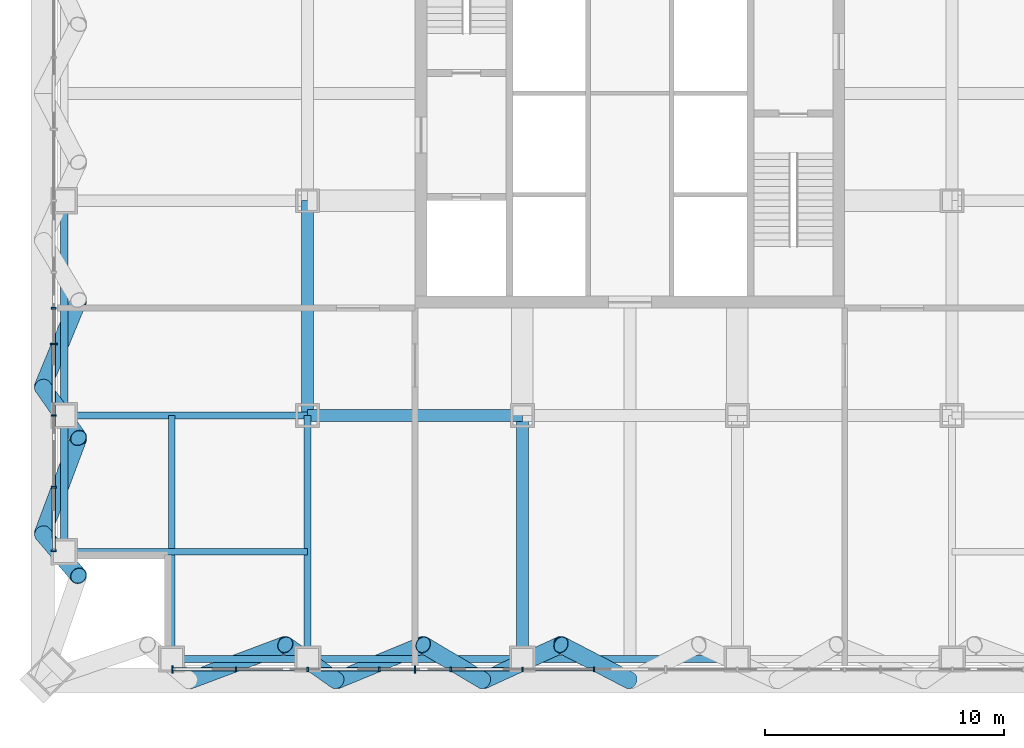
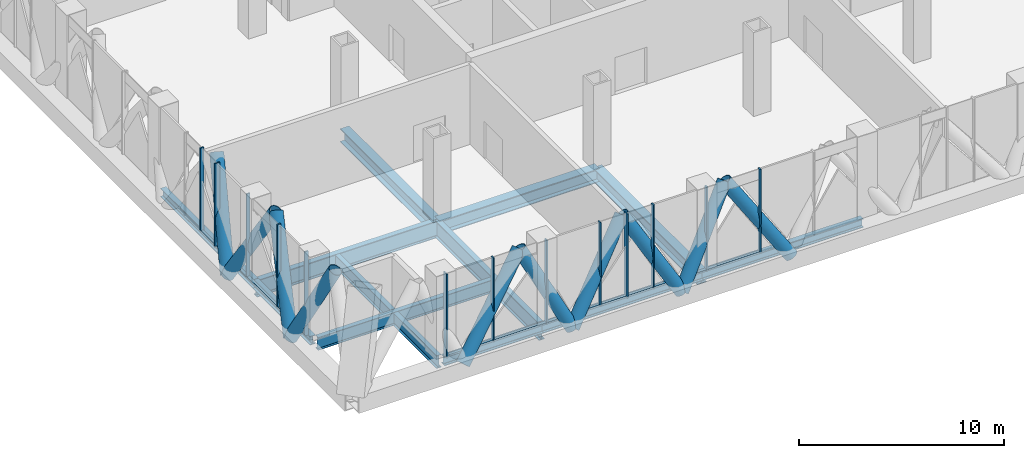
# One storey, part 2 of 29: 34 members, 12 beams, 2 elements without a shape of their own.
"""IFC4 building model written with IfcOpenShell, lengths in metres."""

from ifc_helpers import new_model, si_unit, direction, frame, origin, origin_2d, place, context, subcontext, project, spatial, rectangle, hollow_circle, i_section, extrude, material, layer, layer_set, material_profile, profile_set, type_object, element, aggregate, save


model = new_model("IFC4")

# Units and contexts
model_context = context("Model", 3, precision=1e-05, world=origin(), true_north=direction((0.0, 1.0)))
body_context = subcontext(model_context, "Body", "Model", "MODEL_VIEW")
ifc_project = project(units=[si_unit("LENGTHUNIT", "METRE"), si_unit("AREAUNIT", "SQUARE_METRE"), si_unit("VOLUMEUNIT", "CUBIC_METRE"), si_unit("PLANEANGLEUNIT", "RADIAN"), si_unit("MASSUNIT", "GRAM", prefix="KILO")], contexts=[model_context])

# Site, building, storey
site_placement = place(None, origin())
site = spatial("IfcSite", under=ifc_project, at=site_placement, CompositionType="ELEMENT")
building_placement = place(site_placement, origin())
building = spatial("IfcBuilding", under=site, at=building_placement, Name="Malebo Sky Hospital", CompositionType="ELEMENT")
storey_placement = place(building_placement, frame((0.0, 0.0, 172.0)))
storey = spatial("IfcBuildingStorey", under=building, at=storey_placement, Name="L41", CompositionType="ELEMENT", Elevation=172.0)

# Curtain wall, members
ifc_material_1 = material(Name="Anodised aluminium, natural silver", Category="aluminium")
ifc_layer = layer(ifc_material_1, 0.25)
ifc_layer_set = layer_set([ifc_layer], Name="PLANT LOUVRE SCREEN")
curtain_wall_type = type_object("IfcCurtainWallType", Name="PLANT LOUVRE SCREEN", PredefinedType="NOTDEFINED", material=ifc_layer_set)
curtain_wall_1_placement = place(storey_placement, origin())
curtain_wall_1 = element("IfcCurtainWall", 1, at=curtain_wall_1_placement, inside=storey, type_object=curtain_wall_type, Name="PLANT curtain wall W", PredefinedType="NOTDEFINED")
ifc_material_profile_1 = material_profile(ifc_material_1, rectangle(XDim=0.14990234375, YDim=0.10009765625, at=origin_2d()), Name="ALUMINIUM TRANSOM 150x100")
ifc_profile_set_1 = profile_set([ifc_material_profile_1], Name="Anodised aluminium, natural silver")
member_type_1 = type_object("IfcMemberType", Name="ALUMINIUM TRANSOM 150x100", PredefinedType="USERDEFINED", material=ifc_profile_set_1)
member_1_placement = place(storey_placement, frame((35.864990234375, 42.875, 0.050048828125), z_axis=(0.0, 1.0, 0.0), x_axis=(-1.0, 0.0, 0.0)))
member_1 = element("IfcMember", 2, at=member_1_placement, type_object=member_type_1, Name="Transom 1", ObjectType="TRANSOM", PredefinedType="USERDEFINED", context=body_context, shape_type="SweptSolid", body=[
    extrude(rectangle(XDim=0.14990234375, YDim=0.10009765625, at=origin_2d()), origin(), (0.0, 0.0, 1.0), 2.58740234375),
])
member_2_placement = place(storey_placement, frame((35.864990234375, 45.53759765625, 0.050048828125), z_axis=(0.0, 1.0, 0.0), x_axis=(-1.0, 0.0, 0.0)))
member_2 = element("IfcMember", 3, at=member_2_placement, type_object=member_type_1, Name="Transom 2", ObjectType="TRANSOM", PredefinedType="USERDEFINED", context=body_context, shape_type="SweptSolid", body=[
    extrude(rectangle(XDim=0.14990234375, YDim=0.10009765625, at=origin_2d()), origin(), (0.0, 0.0, 1.0), 2.9248046875),
])
member_3_placement = place(storey_placement, frame((35.864990234375, 48.53759765625, 0.050048828125), z_axis=(0.0, 1.0, 0.0), x_axis=(-1.0, 0.0, 0.0)))
member_3 = element("IfcMember", 4, at=member_3_placement, type_object=member_type_1, Name="Transom 3", ObjectType="TRANSOM", PredefinedType="USERDEFINED", context=body_context, shape_type="SweptSolid", body=[
    extrude(rectangle(XDim=0.14990234375, YDim=0.10009765625, at=origin_2d()), origin(), (0.0, 0.0, 1.0), 2.9248046875),
])
member_4_placement = place(storey_placement, frame((35.864990234375, 51.53759765625, 0.050048828125), z_axis=(0.0, 1.0, 0.0), x_axis=(-1.0, 0.0, 0.0)))
member_4 = element("IfcMember", 5, at=member_4_placement, type_object=member_type_1, Name="Transom 4", ObjectType="TRANSOM", PredefinedType="USERDEFINED", context=body_context, shape_type="SweptSolid", body=[
    extrude(rectangle(XDim=0.14990234375, YDim=0.10009765625, at=origin_2d()), origin(), (0.0, 0.0, 1.0), 1.4248046875),
])

curtain_wall_2_placement = place(storey_placement, origin())
curtain_wall_2 = element("IfcCurtainWall", 6, at=curtain_wall_2_placement, inside=storey, type_object=curtain_wall_type, Name="PLANT curtain wall S", PredefinedType="NOTDEFINED")
member_5_placement = place(storey_placement, frame((58.46240234375, 37.864990234375, 0.050048828125), z_axis=(-1.0, 0.0, 0.0), x_axis=(0.0, -1.0, 0.0)))
member_5 = element("IfcMember", 7, at=member_5_placement, type_object=member_type_1, Name="Transom 9", ObjectType="TRANSOM", PredefinedType="USERDEFINED", context=body_context, shape_type="SweptSolid", body=[
    extrude(rectangle(XDim=0.14990234375, YDim=0.10009765625, at=origin_2d()), origin(), (0.0, 0.0, 1.0), 2.9248046875),
])
member_6_placement = place(storey_placement, frame((55.46240234375, 37.864990234375, 0.050048828125), z_axis=(-1.0, 0.0, 0.0), x_axis=(0.0, -1.0, 0.0)))
member_6 = element("IfcMember", 8, at=member_6_placement, type_object=member_type_1, Name="Transom 10", ObjectType="TRANSOM", PredefinedType="USERDEFINED", context=body_context, shape_type="SweptSolid", body=[
    extrude(rectangle(XDim=0.14990234375, YDim=0.10009765625, at=origin_2d()), origin(), (0.0, 0.0, 1.0), 2.9248046875),
])
member_7_placement = place(storey_placement, frame((52.46240234375, 37.864990234375, 0.050048828125), z_axis=(-1.0, 0.0, 0.0), x_axis=(0.0, -1.0, 0.0)))
member_7 = element("IfcMember", 9, at=member_7_placement, type_object=member_type_1, Name="Transom 11", ObjectType="TRANSOM", PredefinedType="USERDEFINED", context=body_context, shape_type="SweptSolid", body=[
    extrude(rectangle(XDim=0.14990234375, YDim=0.10009765625, at=origin_2d()), origin(), (0.0, 0.0, 1.0), 1.4248046875),
])
member_8_placement = place(storey_placement, frame((50.96240234375, 37.864990234375, 0.050048828125), z_axis=(-1.0, 0.0, 0.0), x_axis=(0.0, -1.0, 0.0)))
member_8 = element("IfcMember", 10, at=member_8_placement, type_object=member_type_1, Name="Transom 12", ObjectType="TRANSOM", PredefinedType="USERDEFINED", context=body_context, shape_type="SweptSolid", body=[
    extrude(rectangle(XDim=0.14990234375, YDim=0.10009765625, at=origin_2d()), origin(), (0.0, 0.0, 1.0), 1.4248046875),
])
member_9_placement = place(storey_placement, frame((49.46240234375, 37.864990234375, 0.050048828125), z_axis=(-1.0, 0.0, 0.0), x_axis=(0.0, -1.0, 0.0)))
member_9 = element("IfcMember", 11, at=member_9_placement, type_object=member_type_1, Name="Transom 13", ObjectType="TRANSOM", PredefinedType="USERDEFINED", context=body_context, shape_type="SweptSolid", body=[
    extrude(rectangle(XDim=0.14990234375, YDim=0.10009765625, at=origin_2d()), origin(), (0.0, 0.0, 1.0), 2.9248046875),
])
member_10_placement = place(storey_placement, frame((46.46240234375, 37.864990234375, 0.050048828125), z_axis=(-1.0, 0.0, 0.0), x_axis=(0.0, -1.0, 0.0)))
member_10 = element("IfcMember", 12, at=member_10_placement, type_object=member_type_1, Name="Transom 14", ObjectType="TRANSOM", PredefinedType="USERDEFINED", context=body_context, shape_type="SweptSolid", body=[
    extrude(rectangle(XDim=0.14990234375, YDim=0.10009765625, at=origin_2d()), origin(), (0.0, 0.0, 1.0), 2.9248046875),
])
member_11_placement = place(storey_placement, frame((43.46240234375, 37.864990234375, 0.050048828125), z_axis=(-1.0, 0.0, 0.0), x_axis=(0.0, -1.0, 0.0)))
member_11 = element("IfcMember", 13, at=member_11_placement, type_object=member_type_1, Name="Transom 15", ObjectType="TRANSOM", PredefinedType="USERDEFINED", context=body_context, shape_type="SweptSolid", body=[
    extrude(rectangle(XDim=0.14990234375, YDim=0.10009765625, at=origin_2d()), origin(), (0.0, 0.0, 1.0), 2.58740234375),
])

# Members
ifc_material_2 = material(Name="Steel S460", Category="steel")
ifc_material_profile_2 = material_profile(ifc_material_2, hollow_circle(Radius=0.35546875, WallThickness=0.02490234375, at=origin_2d()), Name="CHS 711x25")
ifc_profile_set_2 = profile_set([ifc_material_profile_2], Name="Steel S460")
member_type_2 = type_object("IfcMemberType", Name="BELT TRUSS DIAGONAL CHS 711x25", PredefinedType="BRACE", material=ifc_profile_set_2)
member_12_placement = place(storey_placement, frame((41.550048828125, 37.39990234375, -0.39990234375), z_axis=(0.642090926271, 0.240036912139, 0.728080712017), x_axis=(-0.350167642828, 0.936687045878, 0.0)))
element("IfcMember", 14, at=member_12_placement, inside=storey, type_object=member_type_2, Name="Belt truss diagonal S2.1 L41", PredefinedType="BRACE", context=body_context, shape_type="SweptSolid", body=[
    extrude(hollow_circle(Radius=0.35546875, WallThickness=0.02490234375, at=origin_2d()), origin(), (0.0, 0.0, 1.0), 6.2490234375),
])
member_13_placement = place(storey_placement, frame((45.5625, 38.89990234375, 4.14990234375), z_axis=(0.407452101972, -0.285937831469, -0.867307523969), x_axis=(0.574434541353, 0.818550522387, 0.0)))
element("IfcMember", 15, at=member_13_placement, inside=storey, type_object=member_type_2, Name="Belt truss diagonal S2.2 L41", PredefinedType="BRACE", context=body_context, shape_type="SweptSolid", body=[
    extrude(hollow_circle(Radius=0.35546875, WallThickness=0.02490234375, at=origin_2d()), origin(), (0.0, 0.0, 1.0), 5.245849609375),
])
member_14_placement = place(storey_placement, frame((47.699951171875, 37.39990234375, -0.39990234375), z_axis=(0.604717094337, 0.249371221398, 0.756393568029), x_axis=(-0.381233483965, 0.924478788672, 0.0)))
element("IfcMember", 16, at=member_14_placement, inside=storey, type_object=member_type_2, Name="Belt truss diagonal S3.1 L41", PredefinedType="BRACE", context=body_context, shape_type="SweptSolid", body=[
    extrude(hollow_circle(Radius=0.35546875, WallThickness=0.02490234375, at=origin_2d()), origin(), (0.0, 0.0, 1.0), 6.01513671875),
])
member_15_placement = place(storey_placement, frame((51.33740234375, 38.89990234375, 4.14990234375), z_axis=(0.464483521417, -0.277282039991, -0.841052750207), x_axis=(0.512580541453, 0.858639149191, 0.0)))
element("IfcMember", 17, at=member_15_placement, inside=storey, type_object=member_type_2, Name="Belt truss diagonal S3.2 L41", PredefinedType="BRACE", context=body_context, shape_type="SweptSolid", body=[
    extrude(hollow_circle(Radius=0.35546875, WallThickness=0.02490234375, at=origin_2d()), origin(), (0.0, 0.0, 1.0), 5.40966796875),
])
member_16_placement = place(storey_placement, frame((53.85009765625, 37.39990234375, -0.39990234375), z_axis=(0.562873957341, 0.258796497336, 0.78498234446), x_axis=(-0.417738372703, 0.908567362374, 0.0)))
element("IfcMember", 18, at=member_16_placement, inside=storey, type_object=member_type_2, Name="Belt truss diagonal S4.1 L41", PredefinedType="BRACE", context=body_context, shape_type="SweptSolid", body=[
    extrude(hollow_circle(Radius=0.35546875, WallThickness=0.02490234375, at=origin_2d()), origin(), (0.0, 0.0, 1.0), 5.796142578125),
])
member_17_placement = place(storey_placement, frame((57.112548828125, 38.89990234375, 4.14990234375), z_axis=(0.516208408429, -0.268164746883, -0.813398148262), x_axis=(0.460995967099, 0.887402230287, 0.0)))
element("IfcMember", 19, at=member_17_placement, inside=storey, type_object=member_type_2, Name="Belt truss diagonal S4.2 L41", PredefinedType="BRACE", context=body_context, shape_type="SweptSolid", body=[
    extrude(hollow_circle(Radius=0.35546875, WallThickness=0.02490234375, at=origin_2d()), origin(), (0.0, 0.0, 1.0), 5.593505859375),
])
member_18_placement = place(storey_placement, frame((36.89990234375, 53.33740234375, 4.14990234375), z_axis=(-0.249371221398, -0.604717094337, -0.756393568029), x_axis=(0.924478788672, -0.381233483965, 0.0)))
element("IfcMember", 20, at=member_18_placement, inside=storey, type_object=member_type_2, Name="Belt truss diagonal W6.2 L41", PredefinedType="BRACE", context=body_context, shape_type="SweptSolid", body=[
    extrude(hollow_circle(Radius=0.35546875, WallThickness=0.02490234375, at=origin_2d()), origin(), (0.0, 0.0, 1.0), 6.01513671875),
])
member_19_placement = place(storey_placement, frame((35.39990234375, 49.699951171875, -0.39990234375), z_axis=(0.285937831469, -0.407452101972, 0.867307523969), x_axis=(0.818550522387, 0.574434541353, 0.0)))
element("IfcMember", 21, at=member_19_placement, inside=storey, type_object=member_type_2, Name="Belt truss diagonal W7.1 L41", PredefinedType="BRACE", context=body_context, shape_type="SweptSolid", body=[
    extrude(hollow_circle(Radius=0.35546875, WallThickness=0.02490234375, at=origin_2d()), origin(), (0.0, 0.0, 1.0), 5.245849609375),
])
member_20_placement = place(storey_placement, frame((36.89990234375, 47.5625, 4.14990234375), z_axis=(-0.240036912139, -0.642090926271, -0.728080712017), x_axis=(0.936687045878, -0.350167642828, 0.0)))
element("IfcMember", 22, at=member_20_placement, inside=storey, type_object=member_type_2, Name="Belt truss diagonal W7.2 L41", PredefinedType="BRACE", context=body_context, shape_type="SweptSolid", body=[
    extrude(hollow_circle(Radius=0.35546875, WallThickness=0.02490234375, at=origin_2d()), origin(), (0.0, 0.0, 1.0), 6.2490234375),
])
member_21_placement = place(storey_placement, frame((35.39990234375, 43.550048828125, -0.39990234375), z_axis=(0.29385251519, -0.345267139836, 0.891314367362), x_axis=(0.761530527267, 0.648129042738, 0.0)))
element("IfcMember", 23, at=member_21_placement, inside=storey, type_object=member_type_2, Name="Belt truss diagonal W8.1 L41", PredefinedType="BRACE", context=body_context, shape_type="SweptSolid", body=[
    extrude(hollow_circle(Radius=0.35546875, WallThickness=0.02490234375, at=origin_2d()), origin(), (0.0, 0.0, 1.0), 5.1044921875),
])

# Member
ifc_material_profile_3 = material_profile(ifc_material_1, rectangle(XDim=0.074951171875, YDim=0.199951171875, at=origin_2d()), Name="CW5 ALUMINIUM FIN MULLION 75x200")
ifc_profile_set_3 = profile_set([ifc_material_profile_3], Name="Anodised aluminium, natural silver")
member_type_3 = type_object("IfcMemberType", Name="CW5 ALUMINIUM FIN MULLION 75x200", PredefinedType="MULLION", material=ifc_profile_set_3)
member_22_placement = place(storey_placement, frame((35.864990234375, 42.83740234375, 0.0), z_axis=(0.0, 0.0, 1.0), x_axis=(0.0, 1.0, 0.0)))
member_22 = element("IfcMember", 24, at=member_22_placement, type_object=member_type_3, Name="Fin mullion 1", PredefinedType="MULLION", context=body_context, shape_type="SweptSolid", body=[
    extrude(rectangle(XDim=0.074951171875, YDim=0.199951171875, at=origin_2d()), origin(), (0.0, 0.0, 1.0), 5.0),
])

member_23_placement = place(storey_placement, frame((35.864990234375, 45.5, 0.0), z_axis=(0.0, 0.0, 1.0), x_axis=(0.0, 1.0, 0.0)))
member_23 = element("IfcMember", 25, at=member_23_placement, type_object=member_type_3, Name="Fin mullion 2", PredefinedType="MULLION", context=body_context, shape_type="SweptSolid", body=[
    extrude(rectangle(XDim=0.074951171875, YDim=0.199951171875, at=origin_2d()), origin(), (0.0, 0.0, 1.0), 5.0),
])

member_24_placement = place(storey_placement, frame((35.864990234375, 48.5, 0.0), z_axis=(0.0, 0.0, 1.0), x_axis=(0.0, 1.0, 0.0)))
member_24 = element("IfcMember", 26, at=member_24_placement, type_object=member_type_3, Name="Fin mullion 3", PredefinedType="MULLION", context=body_context, shape_type="SweptSolid", body=[
    extrude(rectangle(XDim=0.074951171875, YDim=0.199951171875, at=origin_2d()), origin(), (0.0, 0.0, 1.0), 5.0),
])

member_25_placement = place(storey_placement, frame((35.864990234375, 53.0, 0.0), z_axis=(0.0, 0.0, 1.0), x_axis=(0.0, 1.0, 0.0)))
member_25 = element("IfcMember", 27, at=member_25_placement, type_object=member_type_3, Name="Fin mullion 5", PredefinedType="MULLION", context=body_context, shape_type="SweptSolid", body=[
    extrude(rectangle(XDim=0.074951171875, YDim=0.199951171875, at=origin_2d()), origin(), (0.0, 0.0, 1.0), 5.0),
])

member_26_placement = place(storey_placement, frame((58.5, 37.864990234375, 0.0), z_axis=(0.0, 0.0, 1.0), x_axis=(-1.0, 0.0, 0.0)))
member_26 = element("IfcMember", 28, at=member_26_placement, type_object=member_type_3, Name="Fin mullion 9", PredefinedType="MULLION", context=body_context, shape_type="SweptSolid", body=[
    extrude(rectangle(XDim=0.074951171875, YDim=0.199951171875, at=origin_2d()), origin(), (0.0, 0.0, 1.0), 5.0),
])

member_27_placement = place(storey_placement, frame((55.5, 37.864990234375, 0.0), z_axis=(0.0, 0.0, 1.0), x_axis=(-1.0, 0.0, 0.0)))
member_27 = element("IfcMember", 29, at=member_27_placement, type_object=member_type_3, Name="Fin mullion 10", PredefinedType="MULLION", context=body_context, shape_type="SweptSolid", body=[
    extrude(rectangle(XDim=0.074951171875, YDim=0.199951171875, at=origin_2d()), origin(), (0.0, 0.0, 1.0), 5.0),
])

member_28_placement = place(storey_placement, frame((52.5, 37.864990234375, 0.0), z_axis=(0.0, 0.0, 1.0), x_axis=(-1.0, 0.0, 0.0)))
member_28 = element("IfcMember", 30, at=member_28_placement, type_object=member_type_3, Name="Fin mullion 11", PredefinedType="MULLION", context=body_context, shape_type="SweptSolid", body=[
    extrude(rectangle(XDim=0.074951171875, YDim=0.199951171875, at=origin_2d()), origin(), (0.0, 0.0, 1.0), 5.0),
])

member_29_placement = place(storey_placement, frame((49.5, 37.864990234375, 0.0), z_axis=(0.0, 0.0, 1.0), x_axis=(-1.0, 0.0, 0.0)))
member_29 = element("IfcMember", 31, at=member_29_placement, type_object=member_type_3, Name="Fin mullion 13", PredefinedType="MULLION", context=body_context, shape_type="SweptSolid", body=[
    extrude(rectangle(XDim=0.074951171875, YDim=0.199951171875, at=origin_2d()), origin(), (0.0, 0.0, 1.0), 5.0),
])

member_30_placement = place(storey_placement, frame((46.5, 37.864990234375, 0.0), z_axis=(0.0, 0.0, 1.0), x_axis=(-1.0, 0.0, 0.0)))
member_30 = element("IfcMember", 32, at=member_30_placement, type_object=member_type_3, Name="Fin mullion 14", PredefinedType="MULLION", context=body_context, shape_type="SweptSolid", body=[
    extrude(rectangle(XDim=0.074951171875, YDim=0.199951171875, at=origin_2d()), origin(), (0.0, 0.0, 1.0), 5.0),
])

member_31_placement = place(storey_placement, frame((43.5, 37.864990234375, 0.0), z_axis=(0.0, 0.0, 1.0), x_axis=(-1.0, 0.0, 0.0)))
member_31 = element("IfcMember", 33, at=member_31_placement, type_object=member_type_3, Name="Fin mullion 15", PredefinedType="MULLION", context=body_context, shape_type="SweptSolid", body=[
    extrude(rectangle(XDim=0.074951171875, YDim=0.199951171875, at=origin_2d()), origin(), (0.0, 0.0, 1.0), 5.0),
])

ifc_material_profile_4 = material_profile(ifc_material_1, rectangle(XDim=0.074951171875, YDim=0.300048828125, at=origin_2d()), Name="CW5 ALUMINIUM FIN MULLION 75x300")
ifc_profile_set_4 = profile_set([ifc_material_profile_4], Name="Anodised aluminium, natural silver")
member_type_4 = type_object("IfcMemberType", Name="CW5 ALUMINIUM FIN MULLION 75x300", PredefinedType="MULLION", material=ifc_profile_set_4)
member_32_placement = place(storey_placement, frame((35.864990234375, 51.5, 0.0), z_axis=(0.0, 0.0, 1.0), x_axis=(0.0, 1.0, 0.0)))
member_32 = element("IfcMember", 34, at=member_32_placement, type_object=member_type_4, Name="Fin mullion 4", PredefinedType="MULLION", context=body_context, shape_type="SweptSolid", body=[
    extrude(rectangle(XDim=0.074951171875, YDim=0.300048828125, at=origin_2d()), origin(), (0.0, 0.0, 1.0), 5.0),
])

aggregate(curtain_wall_1, [member_22, member_23, member_24, member_32, member_25, member_1, member_2, member_3, member_4])

member_33_placement = place(storey_placement, frame((51.0, 37.864990234375, 0.0), z_axis=(0.0, 0.0, 1.0), x_axis=(-1.0, 0.0, 0.0)))
member_33 = element("IfcMember", 35, at=member_33_placement, type_object=member_type_4, Name="Fin mullion 12", PredefinedType="MULLION", context=body_context, shape_type="SweptSolid", body=[
    extrude(rectangle(XDim=0.074951171875, YDim=0.300048828125, at=origin_2d()), origin(), (0.0, 0.0, 1.0), 5.0),
])

member_34_placement = place(storey_placement, frame((40.83740234375, 37.864990234375, 0.0), z_axis=(0.0, 0.0, 1.0), x_axis=(-1.0, 0.0, 0.0)))
member_34 = element("IfcMember", 36, at=member_34_placement, type_object=member_type_4, Name="Fin mullion 16", PredefinedType="MULLION", context=body_context, shape_type="SweptSolid", body=[
    extrude(rectangle(XDim=0.074951171875, YDim=0.300048828125, at=origin_2d()), origin(), (0.0, 0.0, 1.0), 5.0),
])

aggregate(curtain_wall_2, [member_26, member_27, member_28, member_33, member_29, member_30, member_31, member_34, member_5, member_6, member_7, member_8, member_9, member_10, member_11])

# Beams
ifc_material_3 = material(Name="Steel S355", Category="steel")
ifc_material_profile_5 = material_profile(ifc_material_3, i_section(OverallWidth=0.305908203125, OverallDepth=0.52392578125, WebThickness=0.02099609375, FlangeThickness=0.0400390625, FilletRadius=0.027099609375, at=origin_2d()), Name="HEM 500")
ifc_profile_set_5 = profile_set([ifc_material_profile_5], Name="Steel S355")
beam_type_1 = type_object("IfcBeamType", Name="EDGE BEAM HEM 500", PredefinedType="BEAM", material=ifc_profile_set_5)
beam_1_placement = place(storey_placement, frame((36.300048828125, 42.949951171875, -0.511962890625), z_axis=(0.0, 1.0, 0.0), x_axis=(-1.0, 0.0, 0.0)))
element("IfcBeam", 37, at=beam_1_placement, inside=storey, type_object=beam_type_1, Name="Beam 000 L41", PredefinedType="BEAM", context=body_context, shape_type="SweptSolid", body=[
    extrude(i_section(OverallWidth=0.305908203125, OverallDepth=0.52392578125, WebThickness=0.02099609375, FlangeThickness=0.0400390625, FilletRadius=0.027099609375, at=origin_2d()), origin(), (0.0, 0.0, 1.0), 5.550048828125),
])
beam_2_placement = place(storey_placement, frame((36.300048828125, 48.5, -0.511962890625), z_axis=(0.0, 1.0, 0.0), x_axis=(-1.0, 0.0, 0.0)))
element("IfcBeam", 38, at=beam_2_placement, inside=storey, type_object=beam_type_1, Name="Beam 001 L41", PredefinedType="BEAM", context=body_context, shape_type="SweptSolid", body=[
    extrude(i_section(OverallWidth=0.305908203125, OverallDepth=0.52392578125, WebThickness=0.02099609375, FlangeThickness=0.0400390625, FilletRadius=0.027099609375, at=origin_2d()), origin(), (0.0, 0.0, 1.0), 9.0),
])
beam_3_placement = place(storey_placement, frame((40.949951171875, 38.300048828125, -0.511962890625), z_axis=(1.0, 0.0, 0.0), x_axis=(0.0, 1.0, 0.0)))
element("IfcBeam", 39, at=beam_3_placement, inside=storey, type_object=beam_type_1, Name="Beam 034 L41", PredefinedType="BEAM", context=body_context, shape_type="SweptSolid", body=[
    extrude(i_section(OverallWidth=0.305908203125, OverallDepth=0.52392578125, WebThickness=0.02099609375, FlangeThickness=0.0400390625, FilletRadius=0.027099609375, at=origin_2d()), origin(), (0.0, 0.0, 1.0), 5.550048828125),
])
for number, where, z_axis, x_axis, name in (
    (40, (46.5, 38.300048828125, -0.511962890625), (1.0, 0.0, 0.0), (0.0, 1.0, 0.0), "Beam 035 L41"),
    (41, (55.5, 38.300048828125, -0.511962890625), (1.0, 0.0, 0.0), (0.0, 1.0, 0.0), "Beam 036 L41"),
):
    element("IfcBeam", number, at=place(storey_placement, frame(where, z_axis=z_axis, x_axis=x_axis)), inside=storey, type_object=beam_type_1, Name=name, PredefinedType="BEAM", context=body_context, shape_type="SweptSolid", body=[
        extrude(i_section(OverallWidth=0.305908203125, OverallDepth=0.52392578125, WebThickness=0.02099609375, FlangeThickness=0.0400390625, FilletRadius=0.027099609375, at=origin_2d()), origin(), (0.0, 0.0, 1.0), 9.0),
    ])
ifc_material_profile_6 = material_profile(ifc_material_3, i_section(OverallWidth=0.26708984375, OverallDepth=0.761962890625, WebThickness=0.014404296875, FlangeThickness=0.021484375, FilletRadius=0.01708984375, at=origin_2d()), Name="IPE 750x173")
ifc_profile_set_6 = profile_set([ifc_material_profile_6], Name="Steel S355")
beam_type_2 = type_object("IfcBeamType", Name="FLOOR BEAM IPE 750x173", PredefinedType="BEAM", material=ifc_profile_set_6)
for number, where, z_axis, x_axis, name in (
    (42, (40.800048828125, 38.449951171875, -0.631103515625), (0.0, 1.0, 0.0), (-1.0, 0.0, 0.0), "Beam 005 L41"),
    (43, (36.449951171875, 42.800048828125, -0.631103515625), (1.0, 0.0, 0.0), (0.0, 1.0, 0.0), "Beam 039 L41"),
):
    element("IfcBeam", number, at=place(storey_placement, frame(where, z_axis=z_axis, x_axis=x_axis)), inside=storey, type_object=beam_type_2, Name=name, PredefinedType="BEAM", context=body_context, shape_type="SweptSolid", body=[
        extrude(i_section(OverallWidth=0.26708984375, OverallDepth=0.761962890625, WebThickness=0.014404296875, FlangeThickness=0.021484375, FilletRadius=0.01708984375, at=origin_2d()), origin(), (0.0, 0.0, 1.0), 10.050048828125),
    ])
ifc_material_profile_7 = material_profile(ifc_material_3, i_section(OverallWidth=0.5, OverallDepth=0.800048828125, WebThickness=0.030029296875, FlangeThickness=0.050048828125, at=origin_2d()), Name="PG 800x500x30x50")
ifc_profile_set_7 = profile_set([ifc_material_profile_7], Name="Steel S355")
beam_type_3 = type_object("IfcBeamType", Name="FLOOR BEAM PG 800x500x30x50", PredefinedType="BEAM", material=ifc_profile_set_7)
beam_4_placement = place(storey_placement, frame((46.5, 48.5, -0.64990234375), z_axis=(0.0, 1.0, 0.0), x_axis=(-1.0, 0.0, 0.0)))
element("IfcBeam", 44, at=beam_4_placement, inside=storey, type_object=beam_type_3, Name="Beam 008 L41", PredefinedType="BEAM", context=body_context, shape_type="SweptSolid", body=[
    extrude(i_section(OverallWidth=0.5, OverallDepth=0.800048828125, WebThickness=0.030029296875, FlangeThickness=0.050048828125, at=origin_2d()), origin(), (0.0, 0.0, 1.0), 9.0),
])
beam_5_placement = place(storey_placement, frame((55.5, 38.300048828125, -0.64990234375), z_axis=(0.0, 1.0, 0.0), x_axis=(-1.0, 0.0, 0.0)))
element("IfcBeam", 45, at=beam_5_placement, inside=storey, type_object=beam_type_3, Name="Beam 012 L41", PredefinedType="BEAM", context=body_context, shape_type="SweptSolid", body=[
    extrude(i_section(OverallWidth=0.5, OverallDepth=0.800048828125, WebThickness=0.030029296875, FlangeThickness=0.050048828125, at=origin_2d()), origin(), (0.0, 0.0, 1.0), 10.199951171875),
])
beam_6_placement = place(storey_placement, frame((46.5, 48.5, -0.64990234375), z_axis=(1.0, 0.0, 0.0), x_axis=(0.0, 1.0, 0.0)))
element("IfcBeam", 46, at=beam_6_placement, inside=storey, type_object=beam_type_3, Name="Beam 042 L41", PredefinedType="BEAM", context=body_context, shape_type="SweptSolid", body=[
    extrude(i_section(OverallWidth=0.5, OverallDepth=0.800048828125, WebThickness=0.030029296875, FlangeThickness=0.050048828125, at=origin_2d()), origin(), (0.0, 0.0, 1.0), 9.0),
])
ifc_material_profile_8 = material_profile(ifc_material_3, i_section(OverallWidth=0.300048828125, OverallDepth=1.0, WebThickness=0.01904296875, FlangeThickness=0.035888671875, FilletRadius=0.030029296875, at=origin_2d()), Name="HEB 1000")
ifc_profile_set_8 = profile_set([ifc_material_profile_8], Name="Steel S355")
beam_type_4 = type_object("IfcBeamType", Name="FLOOR GIRDER HEB 1000", PredefinedType="BEAM", material=ifc_profile_set_8)
for number, where, z_axis, x_axis, name in (
    (47, (46.5, 38.300048828125, -0.75), (0.0, 1.0, 0.0), (-1.0, 0.0, 0.0), "Beam 007 L41"),
    (48, (36.300048828125, 48.5, -0.75), (1.0, 0.0, 0.0), (0.0, 1.0, 0.0), "Beam 041 L41"),
):
    element("IfcBeam", number, at=place(storey_placement, frame(where, z_axis=z_axis, x_axis=x_axis)), inside=storey, type_object=beam_type_4, Name=name, PredefinedType="BEAM", context=body_context, shape_type="SweptSolid", body=[
        extrude(i_section(OverallWidth=0.300048828125, OverallDepth=1.0, WebThickness=0.01904296875, FlangeThickness=0.035888671875, FilletRadius=0.030029296875, at=origin_2d()), origin(), (0.0, 0.0, 1.0), 10.199951171875),
    ])

save(model, "model.ifc")
